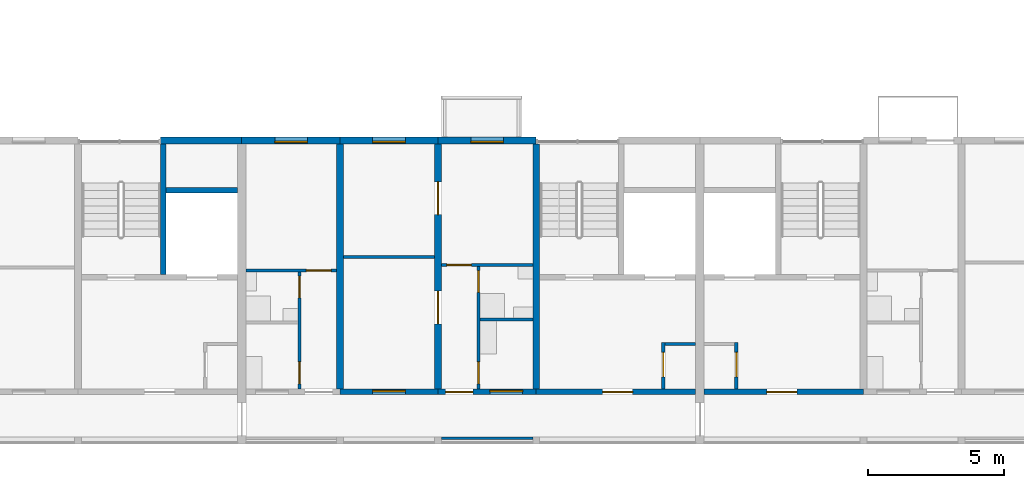
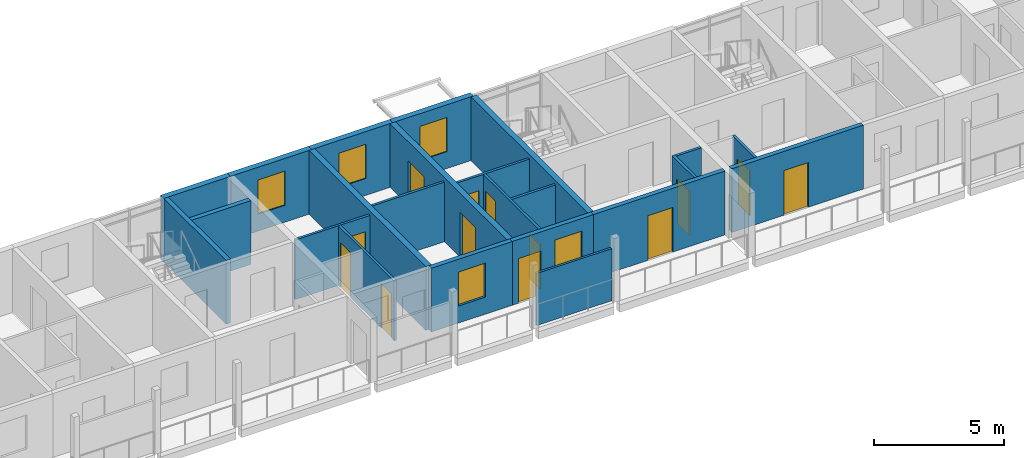
# One storey, part 39 of 98: 23 walls, 13 doors, 5 windows, 18 openings.
"""IFC4 building model written with IfcOpenShell, lengths in metres."""

from ifc_helpers import new_model, si_unit, direction, frame, frame_2d, origin, place, context, subcontext, project, spatial, rectangle, extrude, material, layer, layer_set, type_object, element, fill, save


model = new_model("IFC4")

# Units and contexts
model_context = context("Model", 3, precision=1e-05, world=origin(), true_north=direction((0.0, 1.0)))
body_context = subcontext(model_context, "Body", "Model", "MODEL_VIEW")
ifc_project = project(units=[si_unit("LENGTHUNIT", "METRE"), si_unit("AREAUNIT", "SQUARE_METRE"), si_unit("VOLUMEUNIT", "CUBIC_METRE"), si_unit("PLANEANGLEUNIT", "RADIAN"), si_unit("MASSUNIT", "GRAM", prefix="KILO")], contexts=[model_context])

# Site, building, storey
site_placement = place(None, origin())
site = spatial("IfcSite", under=ifc_project, at=site_placement, CompositionType="ELEMENT")
building_placement = place(site_placement, origin())
building = spatial("IfcBuilding", under=site, at=building_placement, Name="Ridgestep Commons", CompositionType="ELEMENT")
storey_placement = place(building_placement, frame((0.0, 0.0, 12.0)))
storey = spatial("IfcBuildingStorey", under=building, at=storey_placement, Name="L04", CompositionType="ELEMENT", Elevation=12.0)

# Wall
ifc_material_1 = material(Name="Concrete C30/37", Category="concrete")
ifc_layer_1 = layer(ifc_material_1, 0.25)
ifc_layer_set_1 = layer_set([ifc_layer_1], Name="Core cross wall 250")
wall_type_1 = type_object("IfcWallType", Name="Core cross wall 250", PredefinedType="SHEAR", material=ifc_layer_set_1)
wall_1_placement = place(storey_placement, frame((90.0, 13.75, 0.0), z_axis=(0.0, 0.0, 1.0), x_axis=(0.0, 1.0, 0.0)))
element("IfcWall", 1, at=wall_1_placement, inside=storey, type_object=wall_type_1, Name="Cross wall A-04-0900", PredefinedType="SHEAR", context=body_context, shape_type="SweptSolid", body=[
    extrude(rectangle(XDim=9.0, YDim=0.25, at=frame_2d((4.5, 0.0))), origin(), (0.0, 0.0, 1.0), 3.0),
])

# Wall, opening, door
ifc_material_2 = material(Name="Concrete C30/37", Category="concrete")
ifc_layer_2 = layer(ifc_material_2, 0.199951171875)
ifc_layer_set_2 = layer_set([ifc_layer_2], Name="Core south wall 200")
wall_type_2 = type_object("IfcWallType", Name="Core south wall 200", PredefinedType="SHEAR", material=ifc_layer_set_2)
wall_2_placement = place(storey_placement, frame((90.0, 13.64990234375, 0.0), z_axis=(0.0, 0.0, 1.0), x_axis=(1.0, 0.0, 0.0)))
wall_2 = element("IfcWall", 2, at=wall_2_placement, inside=storey, type_object=wall_type_2, Name="Core south wall A5C L04", PredefinedType="SHEAR", context=body_context, shape_type="SweptSolid", body=[
    extrude(rectangle(XDim=5.85009765625, YDim=0.199951171875, at=frame_2d((2.925048828125, 0.0))), origin(), (0.0, 0.0, 1.0), 3.0),
])
opening_1_placement = place(wall_2_placement, frame((2.4375, 0.0, 0.0)))
opening_1 = element("IfcOpeningElement", 3, at=opening_1_placement, cuts=wall_2, Name="Opening A5C/04/1", PredefinedType="OPENING", context=body_context, shape_type="SweptSolid", body=[
    extrude(rectangle(XDim=1.10009765625, YDim=2.10009765625, at=frame_2d((0.550048828125, 1.050048828125))), frame((0.0, 0.10986328125, 0.0), z_axis=(0.0, -1.0, 0.0), x_axis=(1.0, 0.0, 0.0)), (0.0, 0.0, 1.0), 0.219970703125),
])
ifc_material_3 = material(Name="Steel fire door", Category="steel")
door_type_1 = type_object("IfcDoorType", Name="Lobby door 1100 x 2100 FD60", OperationType="NOTDEFINED", PredefinedType="DOOR", material=ifc_material_3)
door_1_placement = place(opening_1_placement, origin())
door_1 = element("IfcDoor", 4, at=door_1_placement, inside=storey, type_object=door_type_1, Name="Lobby door A5C/04/1", OperationType="SINGLE_SWING_LEFT", OverallHeight=2.10009765625, OverallWidth=1.10009765625, PredefinedType="DOOR", context=body_context, shape_type="SweptSolid", body=[
    extrude(rectangle(XDim=1.10009765625, YDim=2.10009765625, at=frame_2d((0.550048828125, 1.050048828125))), frame((0.0, 0.02490234375, 0.0), z_axis=(0.0, -1.0, 0.0), x_axis=(1.0, 0.0, 0.0)), (0.0, 0.0, 1.0), 0.050048828125),
])
fill(opening_1, door_1)

wall_3_placement = place(storey_placement, frame((96.14990234375, 13.64990234375, 0.0), z_axis=(0.0, 0.0, 1.0), x_axis=(1.0, 0.0, 0.0)))
wall_3 = element("IfcWall", 5, at=wall_3_placement, inside=storey, type_object=wall_type_2, Name="Core south wall A6C L04", PredefinedType="SHEAR", context=body_context, shape_type="SweptSolid", body=[
    extrude(rectangle(XDim=5.85009765625, YDim=0.199951171875, at=frame_2d((2.925048828125, 0.0))), origin(), (0.0, 0.0, 1.0), 3.0),
])
opening_2_placement = place(wall_3_placement, frame((2.3125, 0.0, 0.0)))
opening_2 = element("IfcOpeningElement", 6, at=opening_2_placement, cuts=wall_3, Name="Opening A6C/04/1", PredefinedType="OPENING", context=body_context, shape_type="SweptSolid", body=[
    extrude(rectangle(XDim=1.10009765625, YDim=2.10009765625, at=frame_2d((0.550048828125, 1.050048828125))), frame((0.0, 0.10986328125, 0.0), z_axis=(0.0, -1.0, 0.0), x_axis=(1.0, 0.0, 0.0)), (0.0, 0.0, 1.0), 0.219970703125),
])
door_2_placement = place(opening_2_placement, origin())
door_2 = element("IfcDoor", 7, at=door_2_placement, inside=storey, type_object=door_type_1, Name="Lobby door A6C/04/1", OperationType="SINGLE_SWING_LEFT", OverallHeight=2.10009765625, OverallWidth=1.10009765625, PredefinedType="DOOR", context=body_context, shape_type="SweptSolid", body=[
    extrude(rectangle(XDim=1.10009765625, YDim=2.10009765625, at=frame_2d((0.550048828125, 1.050048828125))), frame((0.0, 0.02490234375, 0.0), z_axis=(0.0, -1.0, 0.0), x_axis=(1.0, 0.0, 0.0)), (0.0, 0.0, 1.0), 0.050048828125),
])
fill(opening_2, door_2)

ifc_material_4 = material(Name="Concrete C30/37", Category="concrete")
ifc_layer_3 = layer(ifc_material_4, 0.1201171875)
ifc_layer_set_3 = layer_set([ifc_layer_3], Name="Core wall 120")
wall_type_3 = type_object("IfcWallType", Name="Core wall 120", PredefinedType="SHEAR", material=ifc_layer_set_3)
wall_4_placement = place(storey_placement, frame((94.659912109375, 13.75, 0.0), z_axis=(0.0, 0.0, 1.0), x_axis=(0.0, 1.0, 0.0)))
wall_4 = element("IfcWall", 8, at=wall_4_placement, inside=storey, type_object=wall_type_3, Name="Core riser w wall A5C L04", PredefinedType="SHEAR", context=body_context, shape_type="SweptSolid", body=[
    extrude(rectangle(XDim=1.719970703125, YDim=0.1201171875, at=frame_2d((0.85986328125, 0.0))), origin(), (0.0, 0.0, 1.0), 3.0),
])
opening_3_placement = place(wall_4_placement, frame((0.449951171875, 0.0, 0.0)))
opening_3 = element("IfcOpeningElement", 9, at=opening_3_placement, cuts=wall_4, Name="Opening A5C/04/4", PredefinedType="OPENING", context=body_context, shape_type="SweptSolid", body=[
    extrude(rectangle(XDim=0.89990234375, YDim=2.10009765625, at=frame_2d((0.449951171875, 1.050048828125))), frame((0.0, 0.070068359375, 0.0), z_axis=(0.0, -1.0, 0.0), x_axis=(1.0, 0.0, 0.0)), (0.0, 0.0, 1.0), 0.14013671875),
])
ifc_material_5 = material(Name="Steel fire door", Category="steel")
door_type_2 = type_object("IfcDoorType", Name="Riser door 900 x 2100 FD60", OperationType="NOTDEFINED", PredefinedType="DOOR", material=ifc_material_5)
door_3_placement = place(opening_3_placement, origin())
door_3 = element("IfcDoor", 10, at=door_3_placement, inside=storey, type_object=door_type_2, Name="Riser door A5C/04/4", OperationType="SINGLE_SWING_LEFT", OverallHeight=2.10009765625, OverallWidth=0.89990234375, PredefinedType="DOOR", context=body_context, shape_type="SweptSolid", body=[
    extrude(rectangle(XDim=0.89990234375, YDim=2.10009765625, at=frame_2d((0.449951171875, 1.050048828125))), frame((0.0, 0.02490234375, 0.0), z_axis=(0.0, -1.0, 0.0), x_axis=(1.0, 0.0, 0.0)), (0.0, 0.0, 1.0), 0.050048828125),
])
fill(opening_3, door_3)

# Wall
wall_5_placement = place(storey_placement, frame((94.719970703125, 15.409912109375, 0.0), z_axis=(0.0, 0.0, 1.0), x_axis=(1.0, 0.0, 0.0)))
element("IfcWall", 11, at=wall_5_placement, inside=storey, type_object=wall_type_3, Name="Core riser n wall A5C L04", PredefinedType="SHEAR", context=body_context, shape_type="SweptSolid", body=[
    extrude(rectangle(XDim=1.130126953125, YDim=0.1201171875, at=frame_2d((0.56494140625, 0.0))), origin(), (0.0, 0.0, 1.0), 3.0),
])

# Wall, opening, door
wall_6_placement = place(storey_placement, frame((97.340087890625, 13.75, 0.0), z_axis=(0.0, 0.0, 1.0), x_axis=(0.0, 1.0, 0.0)))
wall_6 = element("IfcWall", 12, at=wall_6_placement, inside=storey, type_object=wall_type_3, Name="Core riser w wall A6C L04", PredefinedType="SHEAR", context=body_context, shape_type="SweptSolid", body=[
    extrude(rectangle(XDim=1.719970703125, YDim=0.1201171875, at=frame_2d((0.85986328125, 0.0))), origin(), (0.0, 0.0, 1.0), 3.0),
])
opening_4_placement = place(wall_6_placement, frame((0.449951171875, 0.0, 0.0)))
opening_4 = element("IfcOpeningElement", 13, at=opening_4_placement, cuts=wall_6, Name="Opening A6C/04/4", PredefinedType="OPENING", context=body_context, shape_type="SweptSolid", body=[
    extrude(rectangle(XDim=0.89990234375, YDim=2.10009765625, at=frame_2d((0.449951171875, 1.050048828125))), frame((0.0, 0.070068359375, 0.0), z_axis=(0.0, -1.0, 0.0), x_axis=(1.0, 0.0, 0.0)), (0.0, 0.0, 1.0), 0.14013671875),
])
door_4_placement = place(opening_4_placement, origin())
door_4 = element("IfcDoor", 14, at=door_4_placement, inside=storey, type_object=door_type_2, Name="Riser door A6C/04/4", OperationType="SINGLE_SWING_RIGHT", OverallHeight=2.10009765625, OverallWidth=0.89990234375, PredefinedType="DOOR", context=body_context, shape_type="SweptSolid", body=[
    extrude(rectangle(XDim=0.89990234375, YDim=2.10009765625, at=frame_2d((0.449951171875, 1.050048828125))), frame((0.0, 0.02490234375, 0.0), z_axis=(0.0, -1.0, 0.0), x_axis=(1.0, 0.0, 0.0)), (0.0, 0.0, 1.0), 0.050048828125),
])
fill(opening_4, door_4)

# Walls
ifc_material_6 = material(Name="Concrete C30/37", Category="concrete")
ifc_layer_4 = layer(ifc_material_6, 0.199951171875)
ifc_layer_set_4 = layer_set([ifc_layer_4], Name="Core wall 200")
wall_type_4 = type_object("IfcWallType", Name="Core wall 200", PredefinedType="SHEAR", material=ifc_layer_set_4)
wall_7_placement = place(storey_placement, frame((76.324951171875, 17.949951171875, 0.0), z_axis=(0.0, 0.0, 1.0), x_axis=(0.0, 1.0, 0.0)))
element("IfcWall", 15, at=wall_7_placement, inside=storey, type_object=wall_type_4, Name="Core stair wall A4C L04", PredefinedType="SHEAR", context=body_context, shape_type="SweptSolid", body=[
    extrude(rectangle(XDim=4.800048828125, YDim=0.199951171875, at=frame_2d((2.39990234375, 0.0))), origin(), (0.0, 0.0, 1.0), 3.0),
])
wall_8_placement = place(storey_placement, frame((76.425048828125, 21.050048828125, 0.0), z_axis=(0.0, 0.0, 1.0), x_axis=(1.0, 0.0, 0.0)))
element("IfcWall", 16, at=wall_8_placement, inside=storey, type_object=wall_type_4, Name="Core duct wall A4C L04", PredefinedType="SHEAR", context=body_context, shape_type="SweptSolid", body=[
    extrude(rectangle(XDim=2.625, YDim=0.199951171875, at=frame_2d((1.3125, 0.0))), origin(), (0.0, 0.0, 1.0), 3.0),
])
ifc_material_7 = material(Name="Precast concrete C40/50", Category="concrete")
ifc_layer_5 = layer(ifc_material_7, 0.25)
ifc_layer_set_5 = layer_set([ifc_layer_5], Name="Cross wall 250")
wall_type_5 = type_object("IfcWallType", Name="Cross wall 250", PredefinedType="SHEAR", material=ifc_layer_set_5)
wall_9_placement = place(storey_placement, frame((82.800048828125, 13.75, 0.0), z_axis=(0.0, 0.0, 1.0), x_axis=(0.0, 1.0, 0.0)))
element("IfcWall", 17, at=wall_9_placement, inside=storey, type_object=wall_type_5, Name="Cross wall A-04-0828", PredefinedType="SHEAR", context=body_context, shape_type="SweptSolid", body=[
    extrude(rectangle(XDim=9.0, YDim=0.25, at=frame_2d((4.5, 0.0))), origin(), (0.0, 0.0, 1.0), 3.0),
])

# Wall, openings, doors
wall_10_placement = place(storey_placement, frame((86.39990234375, 13.75, 0.0), z_axis=(0.0, 0.0, 1.0), x_axis=(0.0, 1.0, 0.0)))
wall_10 = element("IfcWall", 18, at=wall_10_placement, inside=storey, type_object=wall_type_5, Name="Cross wall A-04-0864", PredefinedType="SHEAR", context=body_context, shape_type="SweptSolid", body=[
    extrude(rectangle(XDim=9.0, YDim=0.25, at=frame_2d((4.5, 0.0))), origin(), (0.0, 0.0, 1.0), 3.0),
])
opening_5_placement = place(wall_10_placement, frame((2.39990234375, 0.0, 0.0)))
opening_5 = element("IfcOpeningElement", 19, at=opening_5_placement, cuts=wall_10, Name="Opening A5-04b/5", PredefinedType="OPENING", context=body_context, shape_type="SweptSolid", body=[
    extrude(rectangle(XDim=1.199951171875, YDim=2.10009765625, at=frame_2d((0.60009765625, 1.050048828125))), frame((0.0, 0.135009765625, 0.0), z_axis=(0.0, -1.0, 0.0), x_axis=(1.0, 0.0, 0.0)), (0.0, 0.0, 1.0), 0.27001953125),
])
opening_6_placement = place(wall_10_placement, frame((6.39990234375, 0.0, 0.0)))
opening_6 = element("IfcOpeningElement", 20, at=opening_6_placement, cuts=wall_10, Name="Opening A5-04b/6", PredefinedType="OPENING", context=body_context, shape_type="SweptSolid", body=[
    extrude(rectangle(XDim=1.199951171875, YDim=2.10009765625, at=frame_2d((0.60009765625, 1.050048828125))), frame((0.0, 0.135009765625, 0.0), z_axis=(0.0, -1.0, 0.0), x_axis=(1.0, 0.0, 0.0)), (0.0, 0.0, 1.0), 0.27001953125),
])
ifc_material_8 = material(Name="Timber door leaf", Category="wood")
door_type_3 = type_object("IfcDoorType", Name="Double door 1200 x 2100", OperationType="DOUBLE_DOOR_SINGLE_SWING", PredefinedType="DOOR", material=ifc_material_8)
door_5_placement = place(opening_5_placement, origin())
door_5 = element("IfcDoor", 21, at=door_5_placement, inside=storey, type_object=door_type_3, Name="Double door A5-04b/5", OperationType="DOUBLE_DOOR_SINGLE_SWING", OverallHeight=2.10009765625, OverallWidth=1.199951171875, PredefinedType="DOOR", context=body_context, shape_type="SweptSolid", body=[
    extrude(rectangle(XDim=1.199951171875, YDim=2.10009765625, at=frame_2d((0.60009765625, 1.050048828125))), frame((0.0, 0.02490234375, 0.0), z_axis=(0.0, -1.0, 0.0), x_axis=(1.0, 0.0, 0.0)), (0.0, 0.0, 1.0), 0.050048828125),
])
fill(opening_5, door_5)
door_6_placement = place(opening_6_placement, origin())
door_6 = element("IfcDoor", 22, at=door_6_placement, inside=storey, type_object=door_type_3, Name="Double door A5-04b/6", OperationType="DOUBLE_DOOR_SINGLE_SWING", OverallHeight=2.10009765625, OverallWidth=1.199951171875, PredefinedType="DOOR", context=body_context, shape_type="SweptSolid", body=[
    extrude(rectangle(XDim=1.199951171875, YDim=2.10009765625, at=frame_2d((0.60009765625, 1.050048828125))), frame((0.0, 0.02490234375, 0.0), z_axis=(0.0, -1.0, 0.0), x_axis=(1.0, 0.0, 0.0)), (0.0, 0.0, 1.0), 0.050048828125),
])
fill(opening_6, door_6)

# Wall
ifc_material_9 = material(Name="Precast concrete C40/50", Category="concrete")
ifc_layer_6 = layer(ifc_material_9, 0.25)
ifc_layer_set_6 = layer_set([ifc_layer_6], Name="North facade panel 250")
wall_type_6 = type_object("IfcWallType", Name="North facade panel 250", PredefinedType="SOLIDWALL", material=ifc_layer_set_6)
wall_11_placement = place(storey_placement, frame((76.22509765625, 22.875, 0.0), z_axis=(0.0, 0.0, 1.0), x_axis=(1.0, 0.0, 0.0)))
element("IfcWall", 23, at=wall_11_placement, inside=storey, type_object=wall_type_6, Name="North panel A4C L04", PredefinedType="SOLIDWALL", context=body_context, shape_type="SweptSolid", body=[
    extrude(rectangle(XDim=2.974853515625, YDim=0.25, at=frame_2d((1.4873046875, 0.0))), origin(), (0.0, 0.0, 1.0), 3.0),
])

# Wall, opening, window
wall_12_placement = place(storey_placement, frame((79.199951171875, 22.875, 0.0), z_axis=(0.0, 0.0, 1.0), x_axis=(1.0, 0.0, 0.0)))
wall_12 = element("IfcWall", 24, at=wall_12_placement, inside=storey, type_object=wall_type_6, Name="North panel A5T1 L04", PredefinedType="SOLIDWALL", context=body_context, shape_type="SweptSolid", body=[
    extrude(rectangle(XDim=3.60009765625, YDim=0.25, at=frame_2d((1.800048828125, 0.0))), origin(), (0.0, 0.0, 1.0), 3.0),
])
opening_7_placement = place(wall_12_placement, frame((1.21240234375, 0.0, 0.800048828125)))
opening_7 = element("IfcOpeningElement", 25, at=opening_7_placement, cuts=wall_12, Name="Opening W11", PredefinedType="OPENING", context=body_context, shape_type="SweptSolid", body=[
    extrude(rectangle(XDim=1.199951171875, YDim=1.60009765625, at=frame_2d((0.60009765625, 0.800048828125))), frame((0.0, 0.135009765625, 0.0), z_axis=(0.0, -1.0, 0.0), x_axis=(1.0, 0.0, 0.0)), (0.0, 0.0, 1.0), 0.27001953125),
])
ifc_material_10 = material(Name="Aluminium 6063-T6 and glass", Category="aluminium")
window_type_1 = type_object("IfcWindowType", Name="Flat window 1200 x 1600", PartitioningType="SINGLE_PANEL", PredefinedType="WINDOW", material=ifc_material_10)
window_1_placement = place(opening_7_placement, origin())
window_1 = element("IfcWindow", 26, at=window_1_placement, inside=storey, type_object=window_type_1, Name="Window A5-04a 2", OverallHeight=1.60009765625, OverallWidth=1.199951171875, PartitioningType="SINGLE_PANEL", PredefinedType="WINDOW", context=body_context, shape_type="SweptSolid", body=[
    extrude(rectangle(XDim=1.199951171875, YDim=1.60009765625, at=frame_2d((0.60009765625, 0.800048828125))), frame((0.0, -0.02490234375, 0.0), z_axis=(0.0, -1.0, 0.0), x_axis=(1.0, 0.0, 0.0)), (0.0, 0.0, 1.0), 0.06005859375),
])
fill(opening_7, window_1)

wall_13_placement = place(storey_placement, frame((82.800048828125, 22.875, 0.0), z_axis=(0.0, 0.0, 1.0), x_axis=(1.0, 0.0, 0.0)))
wall_13 = element("IfcWall", 27, at=wall_13_placement, inside=storey, type_object=wall_type_6, Name="North panel A5T2 L04", PredefinedType="SOLIDWALL", context=body_context, shape_type="SweptSolid", body=[
    extrude(rectangle(XDim=3.599853515625, YDim=0.25, at=frame_2d((1.7998046875, 0.0))), origin(), (0.0, 0.0, 1.0), 3.0),
])
opening_8_placement = place(wall_13_placement, frame((1.199951171875, 0.0, 0.800048828125)))
opening_8 = element("IfcOpeningElement", 28, at=opening_8_placement, cuts=wall_13, Name="Opening W11", PredefinedType="OPENING", context=body_context, shape_type="SweptSolid", body=[
    extrude(rectangle(XDim=1.199951171875, YDim=1.60009765625, at=frame_2d((0.60009765625, 0.800048828125))), frame((0.0, 0.135009765625, 0.0), z_axis=(0.0, -1.0, 0.0), x_axis=(1.0, 0.0, 0.0)), (0.0, 0.0, 1.0), 0.27001953125),
])
window_2_placement = place(opening_8_placement, origin())
window_2 = element("IfcWindow", 29, at=window_2_placement, inside=storey, type_object=window_type_1, Name="Window A5-04b 2", OverallHeight=1.60009765625, OverallWidth=1.199951171875, PartitioningType="SINGLE_PANEL", PredefinedType="WINDOW", context=body_context, shape_type="SweptSolid", body=[
    extrude(rectangle(XDim=1.199951171875, YDim=1.60009765625, at=frame_2d((0.60009765625, 0.800048828125))), frame((0.0, -0.02490234375, 0.0), z_axis=(0.0, -1.0, 0.0), x_axis=(1.0, 0.0, 0.0)), (0.0, 0.0, 1.0), 0.06005859375),
])
fill(opening_8, window_2)

wall_14_placement = place(storey_placement, frame((86.39990234375, 22.875, 0.0), z_axis=(0.0, 0.0, 1.0), x_axis=(1.0, 0.0, 0.0)))
wall_14 = element("IfcWall", 30, at=wall_14_placement, inside=storey, type_object=wall_type_6, Name="North panel A5T3 L04", PredefinedType="SOLIDWALL", context=body_context, shape_type="SweptSolid", body=[
    extrude(rectangle(XDim=3.60009765625, YDim=0.25, at=frame_2d((1.800048828125, 0.0))), origin(), (0.0, 0.0, 1.0), 3.0),
])
opening_9_placement = place(wall_14_placement, frame((1.199951171875, 0.0, 0.800048828125)))
opening_9 = element("IfcOpeningElement", 31, at=opening_9_placement, cuts=wall_14, Name="Opening W11", PredefinedType="OPENING", context=body_context, shape_type="SweptSolid", body=[
    extrude(rectangle(XDim=1.199951171875, YDim=1.60009765625, at=frame_2d((0.60009765625, 0.800048828125))), frame((0.0, 0.135009765625, 0.0), z_axis=(0.0, -1.0, 0.0), x_axis=(1.0, 0.0, 0.0)), (0.0, 0.0, 1.0), 0.27001953125),
])
window_3_placement = place(opening_9_placement, origin())
window_3 = element("IfcWindow", 32, at=window_3_placement, inside=storey, type_object=window_type_1, Name="Window A5-04b 4", OverallHeight=1.60009765625, OverallWidth=1.199951171875, PartitioningType="SINGLE_PANEL", PredefinedType="WINDOW", context=body_context, shape_type="SweptSolid", body=[
    extrude(rectangle(XDim=1.199951171875, YDim=1.60009765625, at=frame_2d((0.60009765625, 0.800048828125))), frame((0.0, -0.02490234375, 0.0), z_axis=(0.0, -1.0, 0.0), x_axis=(1.0, 0.0, 0.0)), (0.0, 0.0, 1.0), 0.06005859375),
])
fill(opening_9, window_3)

# Wall, openings, doors
ifc_material_11 = material(Name="Common brick 110 mm", Category="masonry")
ifc_layer_7 = layer(ifc_material_11, 0.110107421875)
ifc_layer_set_7 = layer_set([ifc_layer_7], Name="Partition 110")
wall_type_7 = type_object("IfcWallType", Name="Partition 110", PredefinedType="PARTITIONING", material=ifc_layer_set_7)
wall_15_placement = place(storey_placement, frame((81.320068359375, 13.75, 0.0), z_axis=(0.0, 0.0, 1.0), x_axis=(0.0, 1.0, 0.0)))
wall_15 = element("IfcWall", 33, at=wall_15_placement, inside=storey, type_object=wall_type_7, Name="Partition A5-04a", PredefinedType="PARTITIONING", context=body_context, shape_type="SweptSolid", body=[
    extrude(rectangle(XDim=4.300048828125, YDim=0.110107421875, at=frame_2d((2.14990234375, 0.0))), origin(), (0.0, 0.0, 1.0), 2.800048828125),
])
opening_10_placement = place(wall_15_placement, frame((0.199951171875, 0.0, 0.0)))
opening_10 = element("IfcOpeningElement", 34, at=opening_10_placement, cuts=wall_15, Name="Opening A5-04a/2", PredefinedType="OPENING", context=body_context, shape_type="SweptSolid", body=[
    extrude(rectangle(XDim=0.800048828125, YDim=2.10009765625, at=frame_2d((0.39990234375, 1.050048828125))), frame((0.0, 0.06494140625, 0.0), z_axis=(0.0, -1.0, 0.0), x_axis=(1.0, 0.0, 0.0)), (0.0, 0.0, 1.0), 0.130126953125),
])
opening_11_placement = place(wall_15_placement, frame((3.35009765625, 0.0, 0.0)))
opening_11 = element("IfcOpeningElement", 35, at=opening_11_placement, cuts=wall_15, Name="Opening A5-04a/3", PredefinedType="OPENING", context=body_context, shape_type="SweptSolid", body=[
    extrude(rectangle(XDim=0.800048828125, YDim=2.10009765625, at=frame_2d((0.39990234375, 1.050048828125))), frame((0.0, 0.06494140625, 0.0), z_axis=(0.0, -1.0, 0.0), x_axis=(1.0, 0.0, 0.0)), (0.0, 0.0, 1.0), 0.130126953125),
])
ifc_material_12 = material(Name="Timber door leaf", Category="wood")
door_type_4 = type_object("IfcDoorType", Name="Internal door 800 x 2100", OperationType="NOTDEFINED", PredefinedType="DOOR", material=ifc_material_12)
door_7_placement = place(opening_10_placement, origin())
door_7 = element("IfcDoor", 36, at=door_7_placement, inside=storey, type_object=door_type_4, Name="Internal door A5-04a/2", OperationType="SINGLE_SWING_LEFT", OverallHeight=2.10009765625, OverallWidth=0.800048828125, PredefinedType="DOOR", context=body_context, shape_type="SweptSolid", body=[
    extrude(rectangle(XDim=0.800048828125, YDim=2.10009765625, at=frame_2d((0.39990234375, 1.050048828125))), frame((0.0, 0.02490234375, 0.0), z_axis=(0.0, -1.0, 0.0), x_axis=(1.0, 0.0, 0.0)), (0.0, 0.0, 1.0), 0.050048828125),
])
fill(opening_10, door_7)
door_8_placement = place(opening_11_placement, origin())
door_8 = element("IfcDoor", 37, at=door_8_placement, inside=storey, type_object=door_type_4, Name="Internal door A5-04a/3", OperationType="SINGLE_SWING_RIGHT", OverallHeight=2.10009765625, OverallWidth=0.800048828125, PredefinedType="DOOR", context=body_context, shape_type="SweptSolid", body=[
    extrude(rectangle(XDim=0.800048828125, YDim=2.10009765625, at=frame_2d((0.39990234375, 1.050048828125))), frame((0.0, 0.02490234375, 0.0), z_axis=(0.0, -1.0, 0.0), x_axis=(1.0, 0.0, 0.0)), (0.0, 0.0, 1.0), 0.050048828125),
])
fill(opening_11, door_8)

# Wall, opening, door
wall_16_placement = place(storey_placement, frame((79.35009765625, 18.10498046875, 0.0), z_axis=(0.0, 0.0, 1.0), x_axis=(1.0, 0.0, 0.0)))
wall_16 = element("IfcWall", 38, at=wall_16_placement, inside=storey, type_object=wall_type_7, Name="Partition A5-04a", PredefinedType="PARTITIONING", context=body_context, shape_type="SweptSolid", body=[
    extrude(rectangle(XDim=3.324951171875, YDim=0.110107421875, at=frame_2d((1.66259765625, 0.0))), origin(), (0.0, 0.0, 1.0), 2.800048828125),
])
opening_12_placement = place(wall_16_placement, frame((2.22509765625, 0.0, 0.0)))
opening_12 = element("IfcOpeningElement", 39, at=opening_12_placement, cuts=wall_16, Name="Opening A5-04a/4", PredefinedType="OPENING", context=body_context, shape_type="SweptSolid", body=[
    extrude(rectangle(XDim=0.89990234375, YDim=2.10009765625, at=frame_2d((0.449951171875, 1.050048828125))), frame((0.0, 0.06494140625, 0.0), z_axis=(0.0, -1.0, 0.0), x_axis=(1.0, 0.0, 0.0)), (0.0, 0.0, 1.0), 0.130126953125),
])
ifc_material_13 = material(Name="Timber door leaf", Category="wood")
door_type_5 = type_object("IfcDoorType", Name="Internal door 900 x 2100", OperationType="NOTDEFINED", PredefinedType="DOOR", material=ifc_material_13)
door_9_placement = place(opening_12_placement, origin())
door_9 = element("IfcDoor", 40, at=door_9_placement, inside=storey, type_object=door_type_5, Name="Internal door A5-04a/4", OperationType="SINGLE_SWING_RIGHT", OverallHeight=2.10009765625, OverallWidth=0.89990234375, PredefinedType="DOOR", context=body_context, shape_type="SweptSolid", body=[
    extrude(rectangle(XDim=0.89990234375, YDim=2.10009765625, at=frame_2d((0.449951171875, 1.050048828125))), frame((0.0, 0.02490234375, 0.0), z_axis=(0.0, -1.0, 0.0), x_axis=(1.0, 0.0, 0.0)), (0.0, 0.0, 1.0), 0.050048828125),
])
fill(opening_12, door_9)

# Wall, openings, doors
wall_17_placement = place(storey_placement, frame((87.8798828125, 13.75, 0.0), z_axis=(0.0, 0.0, 1.0), x_axis=(0.0, 1.0, 0.0)))
wall_17 = element("IfcWall", 41, at=wall_17_placement, inside=storey, type_object=wall_type_7, Name="Partition A5-04b", PredefinedType="PARTITIONING", context=body_context, shape_type="SweptSolid", body=[
    extrude(rectangle(XDim=4.5, YDim=0.110107421875, at=frame_2d((2.25, 0.0))), origin(), (0.0, 0.0, 1.0), 2.800048828125),
])
opening_13_placement = place(wall_17_placement, frame((0.199951171875, 0.0, 0.0)))
opening_13 = element("IfcOpeningElement", 42, at=opening_13_placement, cuts=wall_17, Name="Opening A5-04b/2", PredefinedType="OPENING", context=body_context, shape_type="SweptSolid", body=[
    extrude(rectangle(XDim=0.800048828125, YDim=2.10009765625, at=frame_2d((0.39990234375, 1.050048828125))), frame((0.0, 0.06494140625, 0.0), z_axis=(0.0, -1.0, 0.0), x_axis=(1.0, 0.0, 0.0)), (0.0, 0.0, 1.0), 0.130126953125),
])
opening_14_placement = place(wall_17_placement, frame((3.550048828125, 0.0, 0.0)))
opening_14 = element("IfcOpeningElement", 43, at=opening_14_placement, cuts=wall_17, Name="Opening A5-04b/3", PredefinedType="OPENING", context=body_context, shape_type="SweptSolid", body=[
    extrude(rectangle(XDim=0.800048828125, YDim=2.10009765625, at=frame_2d((0.39990234375, 1.050048828125))), frame((0.0, 0.06494140625, 0.0), z_axis=(0.0, -1.0, 0.0), x_axis=(1.0, 0.0, 0.0)), (0.0, 0.0, 1.0), 0.130126953125),
])
door_10_placement = place(opening_13_placement, origin())
door_10 = element("IfcDoor", 44, at=door_10_placement, inside=storey, type_object=door_type_4, Name="Internal door A5-04b/2", OperationType="SINGLE_SWING_RIGHT", OverallHeight=2.10009765625, OverallWidth=0.800048828125, PredefinedType="DOOR", context=body_context, shape_type="SweptSolid", body=[
    extrude(rectangle(XDim=0.800048828125, YDim=2.10009765625, at=frame_2d((0.39990234375, 1.050048828125))), frame((0.0, 0.02490234375, 0.0), z_axis=(0.0, -1.0, 0.0), x_axis=(1.0, 0.0, 0.0)), (0.0, 0.0, 1.0), 0.050048828125),
])
fill(opening_13, door_10)
door_11_placement = place(opening_14_placement, origin())
door_11 = element("IfcDoor", 45, at=door_11_placement, inside=storey, type_object=door_type_4, Name="Internal door A5-04b/3", OperationType="SINGLE_SWING_LEFT", OverallHeight=2.10009765625, OverallWidth=0.800048828125, PredefinedType="DOOR", context=body_context, shape_type="SweptSolid", body=[
    extrude(rectangle(XDim=0.800048828125, YDim=2.10009765625, at=frame_2d((0.39990234375, 1.050048828125))), frame((0.0, 0.02490234375, 0.0), z_axis=(0.0, -1.0, 0.0), x_axis=(1.0, 0.0, 0.0)), (0.0, 0.0, 1.0), 0.050048828125),
])
fill(opening_14, door_11)

# Wall
wall_18_placement = place(storey_placement, frame((87.93505859375, 16.304931640625, 0.0), z_axis=(0.0, 0.0, 1.0), x_axis=(1.0, 0.0, 0.0)))
element("IfcWall", 46, at=wall_18_placement, inside=storey, type_object=wall_type_7, Name="Partition A5-04b", PredefinedType="PARTITIONING", context=body_context, shape_type="SweptSolid", body=[
    extrude(rectangle(XDim=1.93994140625, YDim=0.110107421875, at=frame_2d((0.969970703125, 0.0))), origin(), (0.0, 0.0, 1.0), 2.800048828125),
])

# Wall, opening, door
wall_19_placement = place(storey_placement, frame((86.52490234375, 18.304931640625, 0.0), z_axis=(0.0, 0.0, 1.0), x_axis=(1.0, 0.0, 0.0)))
wall_19 = element("IfcWall", 47, at=wall_19_placement, inside=storey, type_object=wall_type_7, Name="Partition A5-04b", PredefinedType="PARTITIONING", context=body_context, shape_type="SweptSolid", body=[
    extrude(rectangle(XDim=3.35009765625, YDim=0.110107421875, at=frame_2d((1.675048828125, 0.0))), origin(), (0.0, 0.0, 1.0), 2.800048828125),
])
opening_15_placement = place(wall_19_placement, frame((0.199951171875, 0.0, 0.0)))
opening_15 = element("IfcOpeningElement", 48, at=opening_15_placement, cuts=wall_19, Name="Opening A5-04b/4", PredefinedType="OPENING", context=body_context, shape_type="SweptSolid", body=[
    extrude(rectangle(XDim=0.89990234375, YDim=2.10009765625, at=frame_2d((0.449951171875, 1.050048828125))), frame((0.0, 0.06494140625, 0.0), z_axis=(0.0, -1.0, 0.0), x_axis=(1.0, 0.0, 0.0)), (0.0, 0.0, 1.0), 0.130126953125),
])
door_12_placement = place(opening_15_placement, origin())
door_12 = element("IfcDoor", 49, at=door_12_placement, inside=storey, type_object=door_type_5, Name="Internal door A5-04b/4", OperationType="SINGLE_SWING_RIGHT", OverallHeight=2.10009765625, OverallWidth=0.89990234375, PredefinedType="DOOR", context=body_context, shape_type="SweptSolid", body=[
    extrude(rectangle(XDim=0.89990234375, YDim=2.10009765625, at=frame_2d((0.449951171875, 1.050048828125))), frame((0.0, 0.02490234375, 0.0), z_axis=(0.0, -1.0, 0.0), x_axis=(1.0, 0.0, 0.0)), (0.0, 0.0, 1.0), 0.050048828125),
])
fill(opening_15, door_12)

# Walls
wall_20_placement = place(storey_placement, frame((82.925048828125, 18.60498046875, 0.0), z_axis=(0.0, 0.0, 1.0), x_axis=(1.0, 0.0, 0.0)))
element("IfcWall", 50, at=wall_20_placement, inside=storey, type_object=wall_type_7, Name="Partition A5-04b", PredefinedType="PARTITIONING", context=body_context, shape_type="SweptSolid", body=[
    extrude(rectangle(XDim=3.349853515625, YDim=0.110107421875, at=frame_2d((1.6748046875, 0.0))), origin(), (0.0, 0.0, 1.0), 2.800048828125),
])
ifc_material_14 = material(Name="Precast concrete C30/37", Category="concrete")
ifc_layer_8 = layer(ifc_material_14, 0.10009765625)
ifc_layer_set_8 = layer_set([ifc_layer_8], Name="Perforated gallery screen 3350 x 2450 x 100")
wall_type_8 = type_object("IfcWallType", Name="Perforated gallery screen 3350 x 2450 x 100", PredefinedType="SOLIDWALL", material=ifc_layer_set_8)
wall_21_placement = place(storey_placement, frame((86.52490234375, 11.949951171875, 0.0), z_axis=(0.0, 0.0, 1.0), x_axis=(1.0, 0.0, 0.0)))
element("IfcWall", 51, at=wall_21_placement, inside=storey, type_object=wall_type_8, Name="Gallery screen A5T3 04", PredefinedType="SOLIDWALL", context=body_context, shape_type="SweptSolid", body=[
    extrude(rectangle(XDim=3.35009765625, YDim=0.10009765625, at=frame_2d((1.675048828125, 0.0))), origin(), (0.0, 0.0, 1.0), 2.449951171875),
])

# Wall, opening, window
ifc_material_15 = material(Name="Precast concrete C40/50", Category="concrete")
ifc_layer_9 = layer(ifc_material_15, 0.199951171875)
ifc_layer_set_9 = layer_set([ifc_layer_9], Name="South facade panel 200")
wall_type_9 = type_object("IfcWallType", Name="South facade panel 200", PredefinedType="SOLIDWALL", material=ifc_layer_set_9)
wall_22_placement = place(storey_placement, frame((82.800048828125, 13.64990234375, 0.0), z_axis=(0.0, 0.0, 1.0), x_axis=(1.0, 0.0, 0.0)))
wall_22 = element("IfcWall", 52, at=wall_22_placement, inside=storey, type_object=wall_type_9, Name="South panel A5T2 L04", PredefinedType="SOLIDWALL", context=body_context, shape_type="SweptSolid", body=[
    extrude(rectangle(XDim=3.599853515625, YDim=0.199951171875, at=frame_2d((1.7998046875, 0.0))), origin(), (0.0, 0.0, 1.0), 3.0),
])
opening_16_placement = place(wall_22_placement, frame((1.199951171875, 0.0, 0.800048828125)))
opening_16 = element("IfcOpeningElement", 53, at=opening_16_placement, cuts=wall_22, Name="Opening W11", PredefinedType="OPENING", context=body_context, shape_type="SweptSolid", body=[
    extrude(rectangle(XDim=1.199951171875, YDim=1.60009765625, at=frame_2d((0.60009765625, 0.800048828125))), frame((0.0, 0.10986328125, 0.0), z_axis=(0.0, -1.0, 0.0), x_axis=(1.0, 0.0, 0.0)), (0.0, 0.0, 1.0), 0.219970703125),
])
window_4_placement = place(opening_16_placement, origin())
window_4 = element("IfcWindow", 54, at=window_4_placement, inside=storey, type_object=window_type_1, Name="Window A5-04b 1", OverallHeight=1.60009765625, OverallWidth=1.199951171875, PartitioningType="SINGLE_PANEL", PredefinedType="WINDOW", context=body_context, shape_type="SweptSolid", body=[
    extrude(rectangle(XDim=1.199951171875, YDim=1.60009765625, at=frame_2d((0.60009765625, 0.800048828125))), frame((0.0, 0.06005859375, 0.0), z_axis=(0.0, -1.0, 0.0), x_axis=(1.0, 0.0, 0.0)), (0.0, 0.0, 1.0), 0.06005859375),
])
fill(opening_16, window_4)

# Wall, openings, door, window
wall_23_placement = place(storey_placement, frame((86.39990234375, 13.64990234375, 0.0), z_axis=(0.0, 0.0, 1.0), x_axis=(1.0, 0.0, 0.0)))
wall_23 = element("IfcWall", 55, at=wall_23_placement, inside=storey, type_object=wall_type_9, Name="South panel A5T3 L04", PredefinedType="SOLIDWALL", context=body_context, shape_type="SweptSolid", body=[
    extrude(rectangle(XDim=3.60009765625, YDim=0.199951171875, at=frame_2d((1.800048828125, 0.0))), origin(), (0.0, 0.0, 1.0), 3.0),
])
opening_17_placement = place(wall_23_placement, frame((1.905029296875, 0.0, 1.10009765625)))
opening_17 = element("IfcOpeningElement", 56, at=opening_17_placement, cuts=wall_23, Name="Opening W08", PredefinedType="OPENING", context=body_context, shape_type="SweptSolid", body=[
    extrude(rectangle(XDim=1.199951171875, YDim=1.300048828125, at=frame_2d((0.60009765625, 0.64990234375))), frame((0.0, 0.10986328125, 0.0), z_axis=(0.0, -1.0, 0.0), x_axis=(1.0, 0.0, 0.0)), (0.0, 0.0, 1.0), 0.219970703125),
])
opening_18_placement = place(wall_23_placement, frame((0.27490234375, 0.0, 0.0)))
opening_18 = element("IfcOpeningElement", 57, at=opening_18_placement, cuts=wall_23, Name="Opening A5-04b/1", PredefinedType="OPENING", context=body_context, shape_type="SweptSolid", body=[
    extrude(rectangle(XDim=1.0, YDim=2.10009765625, at=frame_2d((0.5, 1.050048828125))), frame((0.0, 0.10986328125, 0.0), z_axis=(0.0, -1.0, 0.0), x_axis=(1.0, 0.0, 0.0)), (0.0, 0.0, 1.0), 0.219970703125),
])
ifc_material_16 = material(Name="Timber door leaf", Category="wood")
door_type_6 = type_object("IfcDoorType", Name="Flat entrance door 1000 x 2100 FD30S", OperationType="NOTDEFINED", PredefinedType="DOOR", material=ifc_material_16)
door_13_placement = place(opening_18_placement, origin())
door_13 = element("IfcDoor", 58, at=door_13_placement, inside=storey, type_object=door_type_6, Name="Flat entrance door A5-04b/1", OperationType="SINGLE_SWING_LEFT", OverallHeight=2.10009765625, OverallWidth=1.0, PredefinedType="DOOR", context=body_context, shape_type="SweptSolid", body=[
    extrude(rectangle(XDim=1.0, YDim=2.10009765625, at=frame_2d((0.5, 1.050048828125))), frame((0.0, 0.02490234375, 0.0), z_axis=(0.0, -1.0, 0.0), x_axis=(1.0, 0.0, 0.0)), (0.0, 0.0, 1.0), 0.050048828125),
])
fill(opening_18, door_13)
ifc_material_17 = material(Name="Aluminium 6063-T6 and glass", Category="aluminium")
window_type_2 = type_object("IfcWindowType", Name="Flat window 1200 x 1300", PartitioningType="SINGLE_PANEL", PredefinedType="WINDOW", material=ifc_material_17)
window_5_placement = place(opening_17_placement, origin())
window_5 = element("IfcWindow", 59, at=window_5_placement, inside=storey, type_object=window_type_2, Name="Window A5-04b 3", OverallHeight=1.300048828125, OverallWidth=1.199951171875, PartitioningType="SINGLE_PANEL", PredefinedType="WINDOW", context=body_context, shape_type="SweptSolid", body=[
    extrude(rectangle(XDim=1.199951171875, YDim=1.300048828125, at=frame_2d((0.60009765625, 0.64990234375))), frame((0.0, 0.06005859375, 0.0), z_axis=(0.0, -1.0, 0.0), x_axis=(1.0, 0.0, 0.0)), (0.0, 0.0, 1.0), 0.06005859375),
])
fill(opening_17, window_5)

save(model, "model.ifc")
